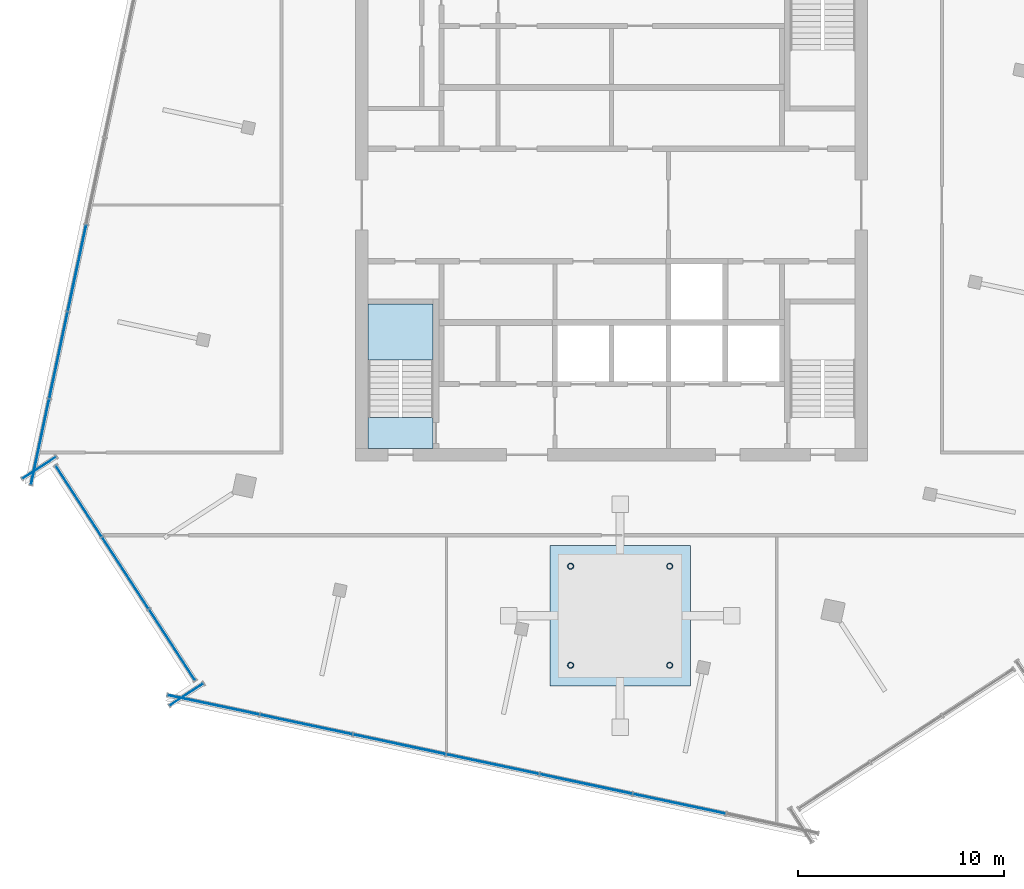
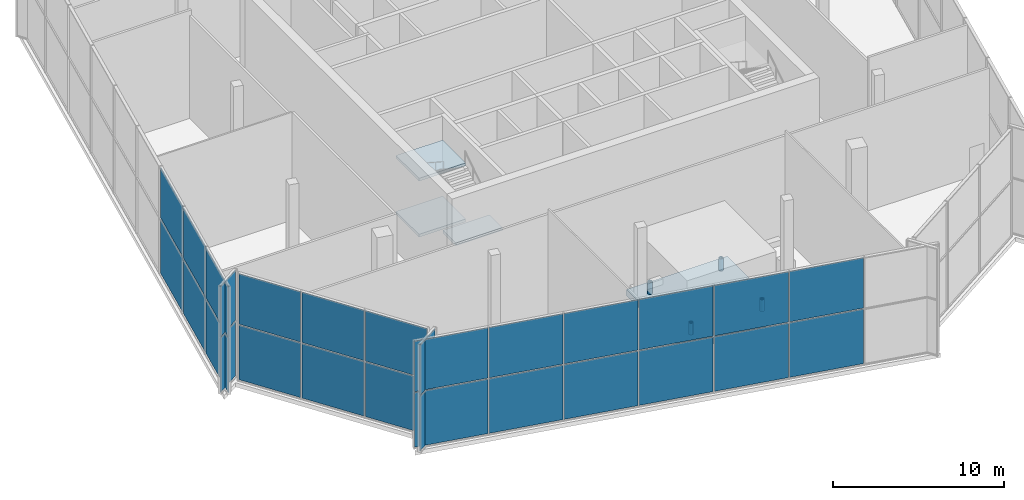
# One storey, part 7 of 14: 28 plates, 4 members, 4 slabs, 6 elements without a shape of their own.
"""IFC4 building model written with IfcOpenShell, lengths in metres."""

import ifcopenshell
import ifcopenshell.guid

model = None  # the IFC model being written
_history = None  # IfcOwnerHistory: only IFC2X3 demands one
_inside = {}  # id of a spatial element -> (the spatial element, [elements in it])
_under = {}  # id of a project, library or spatial element -> (it, [spatial elements below it])
_declared = {}  # id of a project -> (the project, [libraries it declares])
_typed = {}  # id of a type object -> (the type object, [elements of that type])
_made_of = {}  # id of a material, layer set ... -> (it, [elements and type objects made of it])


def new_model(schema):
    """Start an empty IFC model of exactly this schema.

    Asked for "IFC4X3", IfcOpenShell would pick the latest addendum, in which some entities
    have other attributes; the version numbers below select the first issue.
    IFC2X3 requires an IfcOwnerHistory on every rooted entity: one is made here for all.
    """
    global model, _history
    if schema == "IFC4X3":
        model = ifcopenshell.file(schema_version=(4, 3, 0, 0))
    else:
        model = ifcopenshell.file(schema=schema)
    _inside.clear()
    _under.clear()
    _declared.clear()
    _typed.clear()
    _made_of.clear()
    _history = None
    if model.schema == "IFC2X3":
        org = make("IfcOrganization", Name="unknown")
        user = make(
            "IfcPersonAndOrganization",
            ThePerson=make("IfcPerson", FamilyName="unknown"),
            TheOrganization=org,
        )
        app = make(
            "IfcApplication",
            ApplicationDeveloper=org,
            Version="unknown",
            ApplicationFullName="unknown",
            ApplicationIdentifier="unknown",
        )
        _history = make(
            "IfcOwnerHistory",
            OwningUser=user,
            OwningApplication=app,
            ChangeAction="ADDED",
            CreationDate=0,
        )
    return model


def make(cls, **values):
    """One entity of the class cls with the attributes given. An attribute that is None is left unset."""
    return model.create_entity(
        cls, **{name: value for name, value in values.items() if value is not None}
    )


def rooted(cls, **values):
    """An entity with a GlobalId (a new one), such as an element, a storey or a relation."""
    return make(cls, GlobalId=ifcopenshell.guid.new(), OwnerHistory=_history, **values)


def si_unit(unit_type, name, prefix=None):
    """IfcSIUnit, for example si_unit("LENGTHUNIT", "METRE", prefix="MILLI")."""
    return make("IfcSIUnit", UnitType=unit_type, Prefix=prefix, Name=name)


def assignment(units):
    """IfcUnitAssignment: the units of a project."""
    return None if units is None else make("IfcUnitAssignment", Units=units)


def point(xyz):
    """IfcCartesianPoint."""
    return None if xyz is None else make("IfcCartesianPoint", Coordinates=xyz)


def direction(xyz):
    """IfcDirection."""
    return None if xyz is None else make("IfcDirection", DirectionRatios=xyz)


def frame(location, z_axis=None, x_axis=None):
    """IfcAxis2Placement3D, a coordinate frame: its origin and axes. An axis left out is left unset."""
    return make(
        "IfcAxis2Placement3D",
        Location=point(location),
        Axis=direction(z_axis),
        RefDirection=direction(x_axis),
    )


def frame_2d(location, x_axis=None):
    """IfcAxis2Placement2D, a coordinate frame in the plane: its origin and x axis."""
    return make(
        "IfcAxis2Placement2D", Location=point(location), RefDirection=direction(x_axis)
    )


def origin():
    """The frame at (0, 0, 0) with its axes left unset."""
    return frame((0.0, 0.0, 0.0))


def origin_2d():
    """The frame at (0, 0) in the plane with its x axis left unset."""
    return frame_2d((0.0, 0.0))


def place(relative_to, where):
    """IfcLocalPlacement: puts the frame where relative to a parent placement (None: the world)."""
    return make(
        "IfcLocalPlacement", PlacementRelTo=relative_to, RelativePlacement=where
    )


def context(
    kind, dimensions, precision=None, world=None, true_north=None, identifier=None
):
    """IfcGeometricRepresentationContext, for example the 3D "Model" context."""
    return make(
        "IfcGeometricRepresentationContext",
        ContextIdentifier=identifier,
        ContextType=kind,
        CoordinateSpaceDimension=dimensions,
        Precision=precision,
        WorldCoordinateSystem=world,
        TrueNorth=true_north,
    )


def subcontext(parent, identifier, kind, view, scale=None):
    """IfcGeometricRepresentationSubContext, for example "Body" below "Model"."""
    return make(
        "IfcGeometricRepresentationSubContext",
        ContextIdentifier=identifier,
        ContextType=kind,
        ParentContext=parent,
        TargetScale=scale,
        TargetView=view,
    )


def project(units=None, contexts=None):
    """IfcProject with its units and contexts."""
    return rooted(
        "IfcProject",
        Name="project",
        RepresentationContexts=contexts,
        UnitsInContext=assignment(units),
    )


def spatial(cls, under=None, at=None, **own):
    """A site, building, storey or space (cls), placed at a placement, below another one or the project."""
    s = rooted(cls, ObjectPlacement=at, **own)
    if under is not None:
        _under.setdefault(under.id(), (under, []))[1].append(s)
    return s


def polyline(points):
    """IfcPolyline through the points."""
    return make("IfcPolyline", Points=[point(p) for p in points])


def profile(cls, at=None, kind="AREA", **sizes):
    """A parametric profile (cls). Its sizes go by their IFC names, for example OverallWidth=200.0."""
    return make(cls, ProfileType=kind, Position=at, **sizes)


def rectangle(**sizes):
    """IfcRectangleProfileDef."""
    return profile("IfcRectangleProfileDef", **sizes)


def hollow_circle(**sizes):
    """IfcCircleHollowProfileDef."""
    return profile("IfcCircleHollowProfileDef", **sizes)


def outline(outer, holes=None, kind="AREA"):
    """IfcArbitraryClosedProfileDef: a profile drawn as a closed curve; with holes, ...WithVoids."""
    if holes is None:
        return make("IfcArbitraryClosedProfileDef", ProfileType=kind, OuterCurve=outer)
    return make(
        "IfcArbitraryProfileDefWithVoids",
        ProfileType=kind,
        OuterCurve=outer,
        InnerCurves=holes,
    )


def extrude(swept, where, along, depth):
    """IfcExtrudedAreaSolid: the profile swept, set in the frame where, extruded along a direction by depth."""
    return make(
        "IfcExtrudedAreaSolid",
        SweptArea=swept,
        Position=where,
        ExtrudedDirection=direction(along),
        Depth=depth,
    )


def shape(context_of_items, identifier, shape_type, items):
    """IfcShapeRepresentation: the items that make up one representation, for example the "Body"."""
    return make(
        "IfcShapeRepresentation",
        ContextOfItems=context_of_items,
        RepresentationIdentifier=identifier,
        RepresentationType=shape_type,
        Items=items,
    )


def material(Name=None, Category=None):
    """IfcMaterial."""
    return make("IfcMaterial", Name=Name, Category=Category)


def layer(
    of_material, thickness, ventilated=None, Name=None, Category=None, Priority=None
):
    """IfcMaterialLayer: one layer of a wall or slab, of a material (None: an air gap)."""
    return make(
        "IfcMaterialLayer",
        Material=of_material,
        LayerThickness=thickness,
        IsVentilated=ventilated,
        Name=Name,
        Category=Category,
        Priority=Priority,
    )


def layer_set(layers, Name=None):
    """IfcMaterialLayerSet."""
    return make("IfcMaterialLayerSet", MaterialLayers=layers, LayerSetName=Name)


def material_profile(
    of_material, cross_section, Name=None, Category=None, Priority=None
):
    """IfcMaterialProfile: a cross section and its material."""
    return make(
        "IfcMaterialProfile",
        Name=Name,
        Material=of_material,
        Profile=cross_section,
        Priority=Priority,
        Category=Category,
    )


def profile_set(profiles, Name=None, composite=None):
    """IfcMaterialProfileSet."""
    return make(
        "IfcMaterialProfileSet",
        Name=Name,
        MaterialProfiles=profiles,
        CompositeProfile=composite,
    )


def made_of(thing, what):
    """Note that an element or type object is made of a material, layer set ...; save() writes the relation."""
    if what is not None:
        _made_of.setdefault(what.id(), (what, []))[1].append(thing)
    return thing


def type_object(cls, material=None, **own):
    """A type object (cls), such as IfcWallType, which elements share."""
    return made_of(rooted(cls, **own), material)


def element(
    cls,
    number,
    at=None,
    inside=None,
    cuts=None,
    type_object=None,
    material=None,
    context=None,
    identifier="Body",
    shape_type=None,
    held_by="IfcProductDefinitionShape",
    body=None,
    shapes=None,
    **own,
):
    """One element of the class cls, such as IfcWall. Its Tag is "e" and its number.

    at: its placement. inside: the storey or other place that contains it. cuts: it is an
    opening in that element (IfcRelVoidsElement). A single representation is given by context,
    identifier, shape_type and body (its items); several are given by shapes. held_by: the class
    of the entity that holds the representations. save() writes the other relations.
    """
    e = rooted(cls, Tag="e%d" % number, ObjectPlacement=at, **own)
    if body is not None:
        shapes = [shape(context, identifier, shape_type, body)]
    if shapes is not None:
        e.Representation = make(held_by, Representations=shapes)
    if inside is not None:
        _inside.setdefault(inside.id(), (inside, []))[1].append(e)
    if cuts is not None:
        rooted(
            "IfcRelVoidsElement", RelatingBuildingElement=cuts, RelatedOpeningElement=e
        )
    if type_object is not None:
        _typed.setdefault(type_object.id(), (type_object, []))[1].append(e)
    return made_of(e, material)


def aggregate(whole, parts):
    """IfcRelAggregates: a whole, such as a stair, and the parts it consists of."""
    return rooted("IfcRelAggregates", RelatingObject=whole, RelatedObjects=parts)


def save(model, path):
    """Write the relations noted so far, then the file.

    IfcRelAggregates (storeys below a building ...), IfcRelContainedInSpatialStructure (elements
    in a storey), IfcRelDefinesByType, IfcRelAssociatesMaterial and IfcRelDeclares: one each for
    every whole, place, type object, material and project.
    """
    for whole, parts in _under.values():
        aggregate(whole, parts)
    for where, things in _inside.values():
        rooted(
            "IfcRelContainedInSpatialStructure",
            RelatedElements=things,
            RelatingStructure=where,
        )
    for kind, things in _typed.values():
        rooted("IfcRelDefinesByType", RelatedObjects=things, RelatingType=kind)
    for what, things in _made_of.values():
        rooted("IfcRelAssociatesMaterial", RelatedObjects=things, RelatingMaterial=what)
    for by, libraries in _declared.values():
        rooted("IfcRelDeclares", RelatingContext=by, RelatedDefinitions=libraries)
    model.write(path)


model = new_model("IFC4")

# Units and contexts
model_context = context("Model", 3, precision=1e-05, world=origin(), true_north=direction((0.0, 1.0)))
body_context = subcontext(model_context, "Body", "Model", "MODEL_VIEW")
ifc_project = project(units=[si_unit("LENGTHUNIT", "METRE"), si_unit("AREAUNIT", "SQUARE_METRE"), si_unit("VOLUMEUNIT", "CUBIC_METRE"), si_unit("PLANEANGLEUNIT", "RADIAN"), si_unit("MASSUNIT", "GRAM", prefix="KILO")], contexts=[model_context])

# Site, building, storey
site_placement = place(None, origin())
site = spatial("IfcSite", under=ifc_project, at=site_placement, CompositionType="ELEMENT")
building_placement = place(site_placement, origin())
building = spatial("IfcBuilding", under=site, at=building_placement, Name="Dilmun Exchange Tower", CompositionType="ELEMENT")
storey_placement = place(building_placement, frame((0.0, 0.0, 350.10009765625)))
storey = spatial("IfcBuildingStorey", under=building, at=storey_placement, Name="Crown L83", CompositionType="ELEMENT", Elevation=350.10009765625)

# Members
ifc_material_1 = material(Name="Steel S355", Category="steel")
ifc_material_profile = material_profile(ifc_material_1, hollow_circle(Radius=0.14990234375, WallThickness=0.030029296875, at=origin_2d()), Name="CHS 300x30")
ifc_profile_set = profile_set([ifc_material_profile], Name="Steel S355")
member_type = type_object("IfcMemberType", Name="TMD support post CHS 300 x 30", PredefinedType="USERDEFINED", material=ifc_profile_set)
for number, where, z_axis, x_axis, name in (
    (1, (-1.990966796875, -22.302001953125, 0.449951171875), (0.0, 0.0, 1.0), (1.0, 0.0, 0.0), "TMD support post 1"),
    (2, (2.80908203125, -22.302001953125, 0.449951171875), (0.0, 0.0, 1.0), (1.0, 0.0, 0.0), "TMD support post 2"),
    (3, (2.80908203125, -17.501953125, 0.449951171875), (0.0, 0.0, 1.0), (1.0, 0.0, 0.0), "TMD support post 3"),
    (4, (-1.990966796875, -17.501953125, 0.449951171875), (0.0, 0.0, 1.0), (1.0, 0.0, 0.0), "TMD support post 4"),
):
    element("IfcMember", number, at=place(storey_placement, frame(where, z_axis=z_axis, x_axis=x_axis)), inside=storey, type_object=member_type, Name=name, ObjectType="SUPPORT POST", PredefinedType="USERDEFINED", context=body_context, shape_type="SweptSolid", body=[
        extrude(hollow_circle(Radius=0.14990234375, WallThickness=0.030029296875, at=origin_2d()), origin(), (0.0, 0.0, 1.0), 0.849853515625),
    ])

# Curtain wall, plates
ifc_material_2 = material(Name="Anodised aluminium and clear glass", Category="aluminium")
curtain_wall_type = type_object("IfcCurtainWallType", Name="Damper floor glazing", PredefinedType="NOTDEFINED", material=ifc_material_2)
curtain_wall_1_placement = place(storey_placement, origin())
curtain_wall_1 = element("IfcCurtainWall", 5, at=curtain_wall_1_placement, inside=storey, type_object=curtain_wall_type, Name="Damper floor glazing run DG1", PredefinedType="NOTDEFINED")
ifc_material_3 = material(Name="Clear glass", Category="glass")
ifc_layer_1 = layer(ifc_material_3, 0.035888671875)
ifc_layer_set_1 = layer_set([ifc_layer_1], Name="Clear glass")
plate_type = type_object("IfcPlateType", Name="Damper floor glazing glass panel 36", PredefinedType="CURTAIN_PANEL", material=ifc_layer_set_1)
plate_1_placement = place(storey_placement, frame((-25.819580078125, -14.349609375, 0.06982421875), z_axis=(0.0, 0.0, 1.0), x_axis=(0.544642713825, -0.838668178887, 0.0)))
plate_1 = element("IfcPlate", 6, at=plate_1_placement, type_object=plate_type, Name="DG1 panel 1.1", PredefinedType="CURTAIN_PANEL", context=body_context, shape_type="SweptSolid", body=[
    extrude(rectangle(XDim=4.061767578125, YDim=0.035888671875, at=origin_2d()), origin(), (0.0, 0.0, 1.0), 3.89501953125),
])
plate_2_placement = place(storey_placement, frame((-25.819580078125, -14.349609375, 4.03515625), z_axis=(0.0, 0.0, 1.0), x_axis=(0.544642713825, -0.838668178887, 0.0)))
plate_2 = element("IfcPlate", 7, at=plate_2_placement, type_object=plate_type, Name="DG1 panel 1.2", PredefinedType="CURTAIN_PANEL", context=body_context, shape_type="SweptSolid", body=[
    extrude(rectangle(XDim=4.061767578125, YDim=0.035888671875, at=origin_2d()), origin(), (0.0, 0.0, 1.0), 3.594970703125),
])
plate_3_placement = place(storey_placement, frame((-23.559814453125, -17.829345703125, 0.06982421875), z_axis=(0.0, 0.0, 1.0), x_axis=(0.544642713825, -0.838668178887, 0.0)))
plate_3 = element("IfcPlate", 8, at=plate_3_placement, type_object=plate_type, Name="DG1 panel 2.1", PredefinedType="CURTAIN_PANEL", context=body_context, shape_type="SweptSolid", body=[
    extrude(rectangle(XDim=4.0966796875, YDim=0.035888671875, at=origin_2d()), origin(), (0.0, 0.0, 1.0), 3.89501953125),
])
plate_4_placement = place(storey_placement, frame((-23.559814453125, -17.829345703125, 4.03515625), z_axis=(0.0, 0.0, 1.0), x_axis=(0.544642713825, -0.838668178887, 0.0)))
plate_4 = element("IfcPlate", 9, at=plate_4_placement, type_object=plate_type, Name="DG1 panel 2.2", PredefinedType="CURTAIN_PANEL", context=body_context, shape_type="SweptSolid", body=[
    extrude(rectangle(XDim=4.0966796875, YDim=0.035888671875, at=origin_2d()), origin(), (0.0, 0.0, 1.0), 3.594970703125),
])
plate_5_placement = place(storey_placement, frame((-21.300048828125, -21.30908203125, 0.06982421875), z_axis=(0.0, 0.0, 1.0), x_axis=(0.544642713825, -0.838668178887, 0.0)))
plate_5 = element("IfcPlate", 10, at=plate_5_placement, type_object=plate_type, Name="DG1 panel 3.1", PredefinedType="CURTAIN_PANEL", context=body_context, shape_type="SweptSolid", body=[
    extrude(rectangle(XDim=4.061767578125, YDim=0.035888671875, at=origin_2d()), origin(), (0.0, 0.0, 1.0), 3.89501953125),
])
plate_6_placement = place(storey_placement, frame((-21.300048828125, -21.30908203125, 4.03515625), z_axis=(0.0, 0.0, 1.0), x_axis=(0.544642713825, -0.838668178887, 0.0)))
plate_6 = element("IfcPlate", 11, at=plate_6_placement, type_object=plate_type, Name="DG1 panel 3.2", PredefinedType="CURTAIN_PANEL", context=body_context, shape_type="SweptSolid", body=[
    extrude(rectangle(XDim=4.061767578125, YDim=0.035888671875, at=origin_2d()), origin(), (0.0, 0.0, 1.0), 3.594970703125),
])
aggregate(curtain_wall_1, [plate_1, plate_2, plate_3, plate_4, plate_5, plate_6])

curtain_wall_2_placement = place(storey_placement, origin())
curtain_wall_2 = element("IfcCurtainWall", 12, at=curtain_wall_2_placement, inside=storey, type_object=curtain_wall_type, Name="Damper floor glazing run DG2", PredefinedType="NOTDEFINED")
plate_7_placement = place(storey_placement, frame((-20.603515625, -23.719482421875, 0.06982421875), z_axis=(0.0, 0.0, 1.0), x_axis=(-0.838683442358, -0.544619209645, 0.0)))
plate_7 = element("IfcPlate", 13, at=plate_7_placement, type_object=plate_type, Name="DG2 panel 1.1", PredefinedType="CURTAIN_PANEL", context=body_context, shape_type="SweptSolid", body=[
    extrude(rectangle(XDim=1.9169921875, YDim=0.035888671875, at=origin_2d()), origin(), (0.0, 0.0, 1.0), 3.89501953125),
])
plate_8_placement = place(storey_placement, frame((-20.603515625, -23.719482421875, 4.03515625), z_axis=(0.0, 0.0, 1.0), x_axis=(-0.838683442358, -0.544619209645, 0.0)))
plate_8 = element("IfcPlate", 14, at=plate_8_placement, type_object=plate_type, Name="DG2 panel 1.2", PredefinedType="CURTAIN_PANEL", context=body_context, shape_type="SweptSolid", body=[
    extrude(rectangle(XDim=1.9169921875, YDim=0.035888671875, at=origin_2d()), origin(), (0.0, 0.0, 1.0), 3.594970703125),
])
aggregate(curtain_wall_2, [plate_7, plate_8])

curtain_wall_3_placement = place(storey_placement, origin())
curtain_wall_3 = element("IfcCurtainWall", 15, at=curtain_wall_3_placement, inside=storey, type_object=curtain_wall_type, Name="Damper floor glazing run DG3", PredefinedType="NOTDEFINED")
plate_9_placement = place(storey_placement, frame((-19.291748046875, -24.21826171875, 0.06982421875), z_axis=(0.0, 0.0, 1.0), x_axis=(0.978147660564, -0.207911409336, 0.0)))
plate_9 = element("IfcPlate", 16, at=plate_9_placement, type_object=plate_type, Name="DG3 panel 1.1", PredefinedType="CURTAIN_PANEL", context=body_context, shape_type="SweptSolid", body=[
    extrude(rectangle(XDim=4.512451171875, YDim=0.035888671875, at=origin_2d()), origin(), (0.0, 0.0, 1.0), 3.89501953125),
])
plate_10_placement = place(storey_placement, frame((-19.291748046875, -24.21826171875, 4.03515625), z_axis=(0.0, 0.0, 1.0), x_axis=(0.978147660564, -0.207911409336, 0.0)))
plate_10 = element("IfcPlate", 17, at=plate_10_placement, type_object=plate_type, Name="DG3 panel 1.2", PredefinedType="CURTAIN_PANEL", context=body_context, shape_type="SweptSolid", body=[
    extrude(rectangle(XDim=4.512451171875, YDim=0.035888671875, at=origin_2d()), origin(), (0.0, 0.0, 1.0), 3.594970703125),
])
plate_11_placement = place(storey_placement, frame((-14.792236328125, -25.174560546875, 0.06982421875), z_axis=(0.0, 0.0, 1.0), x_axis=(0.978147660564, -0.207911409336, 0.0)))
plate_11 = element("IfcPlate", 18, at=plate_11_placement, type_object=plate_type, Name="DG3 panel 2.1", PredefinedType="CURTAIN_PANEL", context=body_context, shape_type="SweptSolid", body=[
    extrude(rectangle(XDim=4.547607421875, YDim=0.035888671875, at=origin_2d()), origin(), (0.0, 0.0, 1.0), 3.89501953125),
])
plate_12_placement = place(storey_placement, frame((-14.792236328125, -25.174560546875, 4.03515625), z_axis=(0.0, 0.0, 1.0), x_axis=(0.978147660564, -0.207911409336, 0.0)))
plate_12 = element("IfcPlate", 19, at=plate_12_placement, type_object=plate_type, Name="DG3 panel 2.2", PredefinedType="CURTAIN_PANEL", context=body_context, shape_type="SweptSolid", body=[
    extrude(rectangle(XDim=4.547607421875, YDim=0.035888671875, at=origin_2d()), origin(), (0.0, 0.0, 1.0), 3.594970703125),
])
plate_13_placement = place(storey_placement, frame((-10.275634765625, -26.134765625, 0.06982421875), z_axis=(0.0, 0.0, 1.0), x_axis=(0.978147660564, -0.207911409336, 0.0)))
plate_13 = element("IfcPlate", 20, at=plate_13_placement, type_object=plate_type, Name="DG3 panel 3.1", PredefinedType="CURTAIN_PANEL", context=body_context, shape_type="SweptSolid", body=[
    extrude(rectangle(XDim=4.547607421875, YDim=0.035888671875, at=origin_2d()), origin(), (0.0, 0.0, 1.0), 3.89501953125),
])
plate_14_placement = place(storey_placement, frame((-10.275634765625, -26.134765625, 4.03515625), z_axis=(0.0, 0.0, 1.0), x_axis=(0.978147660564, -0.207911409336, 0.0)))
plate_14 = element("IfcPlate", 21, at=plate_14_placement, type_object=plate_type, Name="DG3 panel 3.2", PredefinedType="CURTAIN_PANEL", context=body_context, shape_type="SweptSolid", body=[
    extrude(rectangle(XDim=4.547607421875, YDim=0.035888671875, at=origin_2d()), origin(), (0.0, 0.0, 1.0), 3.594970703125),
])
plate_15_placement = place(storey_placement, frame((-5.759033203125, -27.0947265625, 0.06982421875), z_axis=(0.0, 0.0, 1.0), x_axis=(0.978147660564, -0.207911409336, 0.0)))
plate_15 = element("IfcPlate", 22, at=plate_15_placement, type_object=plate_type, Name="DG3 panel 4.1", PredefinedType="CURTAIN_PANEL", context=body_context, shape_type="SweptSolid", body=[
    extrude(rectangle(XDim=4.547607421875, YDim=0.035888671875, at=origin_2d()), origin(), (0.0, 0.0, 1.0), 3.89501953125),
])
plate_16_placement = place(storey_placement, frame((-5.759033203125, -27.0947265625, 4.03515625), z_axis=(0.0, 0.0, 1.0), x_axis=(0.978147660564, -0.207911409336, 0.0)))
plate_16 = element("IfcPlate", 23, at=plate_16_placement, type_object=plate_type, Name="DG3 panel 4.2", PredefinedType="CURTAIN_PANEL", context=body_context, shape_type="SweptSolid", body=[
    extrude(rectangle(XDim=4.547607421875, YDim=0.035888671875, at=origin_2d()), origin(), (0.0, 0.0, 1.0), 3.594970703125),
])
plate_17_placement = place(storey_placement, frame((-1.24267578125, -28.0546875, 0.06982421875), z_axis=(0.0, 0.0, 1.0), x_axis=(0.978147660564, -0.207911409336, 0.0)))
plate_17 = element("IfcPlate", 24, at=plate_17_placement, type_object=plate_type, Name="DG3 panel 5.1", PredefinedType="CURTAIN_PANEL", context=body_context, shape_type="SweptSolid", body=[
    extrude(rectangle(XDim=4.547607421875, YDim=0.035888671875, at=origin_2d()), origin(), (0.0, 0.0, 1.0), 3.89501953125),
])
plate_18_placement = place(storey_placement, frame((-1.24267578125, -28.0546875, 4.03515625), z_axis=(0.0, 0.0, 1.0), x_axis=(0.978147660564, -0.207911409336, 0.0)))
plate_18 = element("IfcPlate", 25, at=plate_18_placement, type_object=plate_type, Name="DG3 panel 5.2", PredefinedType="CURTAIN_PANEL", context=body_context, shape_type="SweptSolid", body=[
    extrude(rectangle(XDim=4.547607421875, YDim=0.035888671875, at=origin_2d()), origin(), (0.0, 0.0, 1.0), 3.594970703125),
])
plate_19_placement = place(storey_placement, frame((3.27392578125, -29.0146484375, 0.06982421875), z_axis=(0.0, 0.0, 1.0), x_axis=(0.978147660564, -0.207911409336, 0.0)))
plate_19 = element("IfcPlate", 26, at=plate_19_placement, type_object=plate_type, Name="DG3 panel 6.1", PredefinedType="CURTAIN_PANEL", context=body_context, shape_type="SweptSolid", body=[
    extrude(rectangle(XDim=4.547607421875, YDim=0.035888671875, at=origin_2d()), origin(), (0.0, 0.0, 1.0), 3.89501953125),
])
plate_20_placement = place(storey_placement, frame((3.27392578125, -29.0146484375, 4.03515625), z_axis=(0.0, 0.0, 1.0), x_axis=(0.978147660564, -0.207911409336, 0.0)))
plate_20 = element("IfcPlate", 27, at=plate_20_placement, type_object=plate_type, Name="DG3 panel 6.2", PredefinedType="CURTAIN_PANEL", context=body_context, shape_type="SweptSolid", body=[
    extrude(rectangle(XDim=4.547607421875, YDim=0.035888671875, at=origin_2d()), origin(), (0.0, 0.0, 1.0), 3.594970703125),
])
aggregate(curtain_wall_3, [plate_9, plate_10, plate_11, plate_12, plate_13, plate_14, plate_15, plate_16, plate_17, plate_18, plate_19, plate_20])

curtain_wall_4_placement = place(storey_placement, origin())
curtain_wall_4 = element("IfcCurtainWall", 28, at=curtain_wall_4_placement, inside=storey, type_object=curtain_wall_type, Name="Damper floor glazing run DG15", PredefinedType="NOTDEFINED")
plate_21_placement = place(storey_placement, frame((-25.9013671875, -3.055908203125, 0.06982421875), z_axis=(0.0, 0.0, 1.0), x_axis=(-0.207912437508, -0.97814744202, 0.0)))
plate_21 = element("IfcPlate", 29, at=plate_21_placement, type_object=plate_type, Name="DG15 panel 7.1", PredefinedType="CURTAIN_PANEL", context=body_context, shape_type="SweptSolid", body=[
    extrude(rectangle(XDim=4.24462890625, YDim=0.035888671875, at=origin_2d()), origin(), (0.0, 0.0, 1.0), 3.89501953125),
])
plate_22_placement = place(storey_placement, frame((-25.9013671875, -3.055908203125, 4.03515625), z_axis=(0.0, 0.0, 1.0), x_axis=(-0.207912437508, -0.97814744202, 0.0)))
plate_22 = element("IfcPlate", 30, at=plate_22_placement, type_object=plate_type, Name="DG15 panel 7.2", PredefinedType="CURTAIN_PANEL", context=body_context, shape_type="SweptSolid", body=[
    extrude(rectangle(XDim=4.24462890625, YDim=0.035888671875, at=origin_2d()), origin(), (0.0, 0.0, 1.0), 3.594970703125),
])
plate_23_placement = place(storey_placement, frame((-26.798583984375, -7.2763671875, 0.06982421875), z_axis=(0.0, 0.0, 1.0), x_axis=(-0.207912437508, -0.97814744202, 0.0)))
plate_23 = element("IfcPlate", 31, at=plate_23_placement, type_object=plate_type, Name="DG15 panel 8.1", PredefinedType="CURTAIN_PANEL", context=body_context, shape_type="SweptSolid", body=[
    extrude(rectangle(XDim=4.24462890625, YDim=0.035888671875, at=origin_2d()), origin(), (0.0, 0.0, 1.0), 3.89501953125),
])
plate_24_placement = place(storey_placement, frame((-26.798583984375, -7.2763671875, 4.03515625), z_axis=(0.0, 0.0, 1.0), x_axis=(-0.207912437508, -0.97814744202, 0.0)))
plate_24 = element("IfcPlate", 32, at=plate_24_placement, type_object=plate_type, Name="DG15 panel 8.2", PredefinedType="CURTAIN_PANEL", context=body_context, shape_type="SweptSolid", body=[
    extrude(rectangle(XDim=4.24462890625, YDim=0.035888671875, at=origin_2d()), origin(), (0.0, 0.0, 1.0), 3.594970703125),
])
plate_25_placement = place(storey_placement, frame((-27.69189453125, -11.479736328125, 0.06982421875), z_axis=(0.0, 0.0, 1.0), x_axis=(-0.207912437508, -0.97814744202, 0.0)))
plate_25 = element("IfcPlate", 33, at=plate_25_placement, type_object=plate_type, Name="DG15 panel 9.1", PredefinedType="CURTAIN_PANEL", context=body_context, shape_type="SweptSolid", body=[
    extrude(rectangle(XDim=4.209716796875, YDim=0.035888671875, at=origin_2d()), origin(), (0.0, 0.0, 1.0), 3.89501953125),
])
plate_26_placement = place(storey_placement, frame((-27.69189453125, -11.479736328125, 4.03515625), z_axis=(0.0, 0.0, 1.0), x_axis=(-0.207912437508, -0.97814744202, 0.0)))
plate_26 = element("IfcPlate", 34, at=plate_26_placement, type_object=plate_type, Name="DG15 panel 9.2", PredefinedType="CURTAIN_PANEL", context=body_context, shape_type="SweptSolid", body=[
    extrude(rectangle(XDim=4.209716796875, YDim=0.035888671875, at=origin_2d()), origin(), (0.0, 0.0, 1.0), 3.594970703125),
])
aggregate(curtain_wall_4, [plate_21, plate_22, plate_23, plate_24, plate_25, plate_26])

curtain_wall_5_placement = place(storey_placement, origin())
curtain_wall_5 = element("IfcCurtainWall", 35, at=curtain_wall_5_placement, inside=storey, type_object=curtain_wall_type, Name="Damper floor glazing run DG16", PredefinedType="NOTDEFINED")
plate_27_placement = place(storey_placement, frame((-27.73828125, -12.73291015625, 0.06982421875), z_axis=(0.0, 0.0, 1.0), x_axis=(0.838661237307, 0.544653402669, 0.0)))
plate_27 = element("IfcPlate", 36, at=plate_27_placement, type_object=plate_type, Name="DG16 panel 1.1", PredefinedType="CURTAIN_PANEL", context=body_context, shape_type="SweptSolid", body=[
    extrude(rectangle(XDim=1.9169921875, YDim=0.035888671875, at=origin_2d()), origin(), (0.0, 0.0, 1.0), 3.89501953125),
])
plate_28_placement = place(storey_placement, frame((-27.73828125, -12.73291015625, 4.03515625), z_axis=(0.0, 0.0, 1.0), x_axis=(0.838661237307, 0.544653402669, 0.0)))
plate_28 = element("IfcPlate", 37, at=plate_28_placement, type_object=plate_type, Name="DG16 panel 1.2", PredefinedType="CURTAIN_PANEL", context=body_context, shape_type="SweptSolid", body=[
    extrude(rectangle(XDim=1.9169921875, YDim=0.035888671875, at=origin_2d()), origin(), (0.0, 0.0, 1.0), 3.594970703125),
])
aggregate(curtain_wall_5, [plate_27, plate_28])

# Stair, slabs
ifc_material_4 = material(Name="Concrete C40/50", Category="concrete")
stair_type = type_object("IfcStairType", Name="Exit stair 1500 half-turn", PredefinedType="HALF_TURN_STAIR", material=ifc_material_4)
stair_placement = place(storey_placement, origin())
stair = element("IfcStair", 38, at=stair_placement, inside=storey, type_object=stair_type, Name="Crown L83 Protected exit stair ST2", PredefinedType="HALF_TURN_STAIR")
ifc_layer_2 = layer(ifc_material_4, 0.199951171875)
ifc_layer_set_2 = layer_set([ifc_layer_2], Name="Concrete C40/50")
slab_type_1 = type_object("IfcSlabType", Name="Exit stair landing 200", PredefinedType="LANDING", material=ifc_layer_set_2)
slab_1_placement = place(storey_placement, frame((0.0, 0.0, 1.7998046875)))
slab_1 = element("IfcSlab", 39, at=slab_1_placement, type_object=slab_type_1, Name="ST2 landing 1", PredefinedType="LANDING", context=body_context, shape_type="SweptSolid", body=[
    extrude(outline(polyline([(-8.64990234375, -7.5), (-8.64990234375, -4.800048828125), (-11.800048828125, -4.800048828125), (-11.800048828125, -7.5), (-8.64990234375, -7.5)])), origin(), (0.0, 0.0, 1.0), 0.2001953125),
])
slab_2_placement = place(storey_placement, frame((0.0, 0.0, 3.7998046875)))
slab_2 = element("IfcSlab", 40, at=slab_2_placement, type_object=slab_type_1, Name="ST2 landing 2", PredefinedType="LANDING", context=body_context, shape_type="SweptSolid", body=[
    extrude(outline(polyline([(-8.64990234375, -11.800048828125), (-8.64990234375, -10.300048828125), (-11.800048828125, -10.300048828125), (-11.800048828125, -11.800048828125), (-8.64990234375, -11.800048828125)])), origin(), (0.0, 0.0, 1.0), 0.2001953125),
])
slab_3_placement = place(storey_placement, frame((0.0, 0.0, 5.7998046875)))
slab_3 = element("IfcSlab", 41, at=slab_3_placement, type_object=slab_type_1, Name="ST2 landing 3", PredefinedType="LANDING", context=body_context, shape_type="SweptSolid", body=[
    extrude(outline(polyline([(-8.64990234375, -7.5), (-8.64990234375, -4.800048828125), (-11.800048828125, -4.800048828125), (-11.800048828125, -7.5), (-8.64990234375, -7.5)])), origin(), (0.0, 0.0, 1.0), 0.2001953125),
])
aggregate(stair, [slab_1, slab_2, slab_3])

# Slab
ifc_layer_3 = layer(ifc_material_4, 0.449951171875)
ifc_layer_set_3 = layer_set([ifc_layer_3], Name="Concrete C40/50")
slab_type_2 = type_object("IfcSlabType", Name="RC TMD base pad 450", PredefinedType="FLOOR", material=ifc_layer_set_3)
slab_4_placement = place(storey_placement, origin())
element("IfcSlab", 42, at=slab_4_placement, inside=storey, type_object=slab_type_2, Name="TMD base pad", PredefinedType="FLOOR", context=body_context, shape_type="SweptSolid", body=[
    extrude(outline(polyline([(-2.990966796875, -23.302001953125), (3.80908203125, -23.302001953125), (3.80908203125, -16.501953125), (-2.990966796875, -16.501953125), (-2.990966796875, -23.302001953125)])), origin(), (0.0, 0.0, 1.0), 0.449951171875),
])

save(model, "model.ifc")
